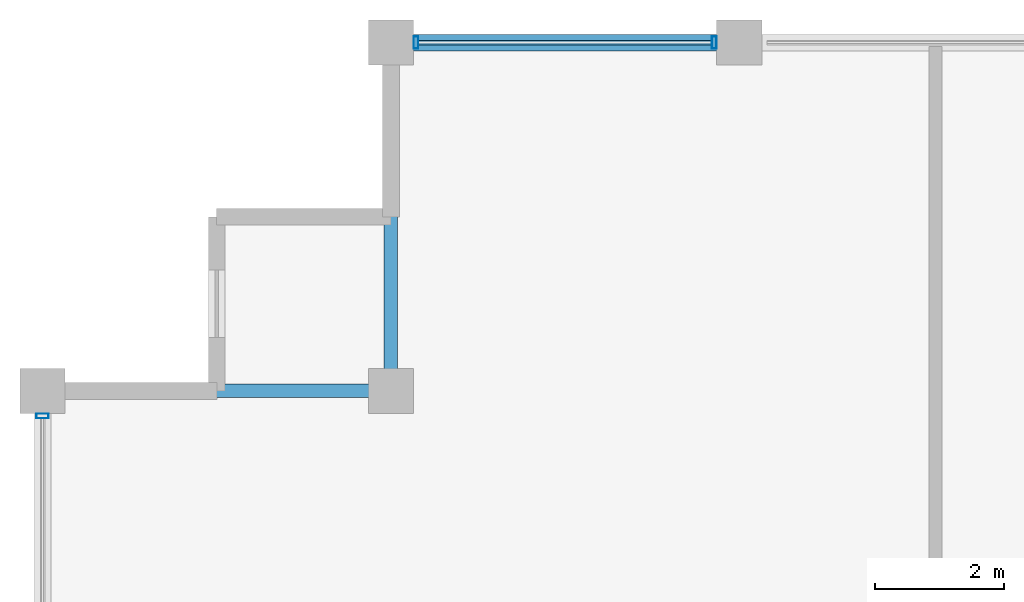
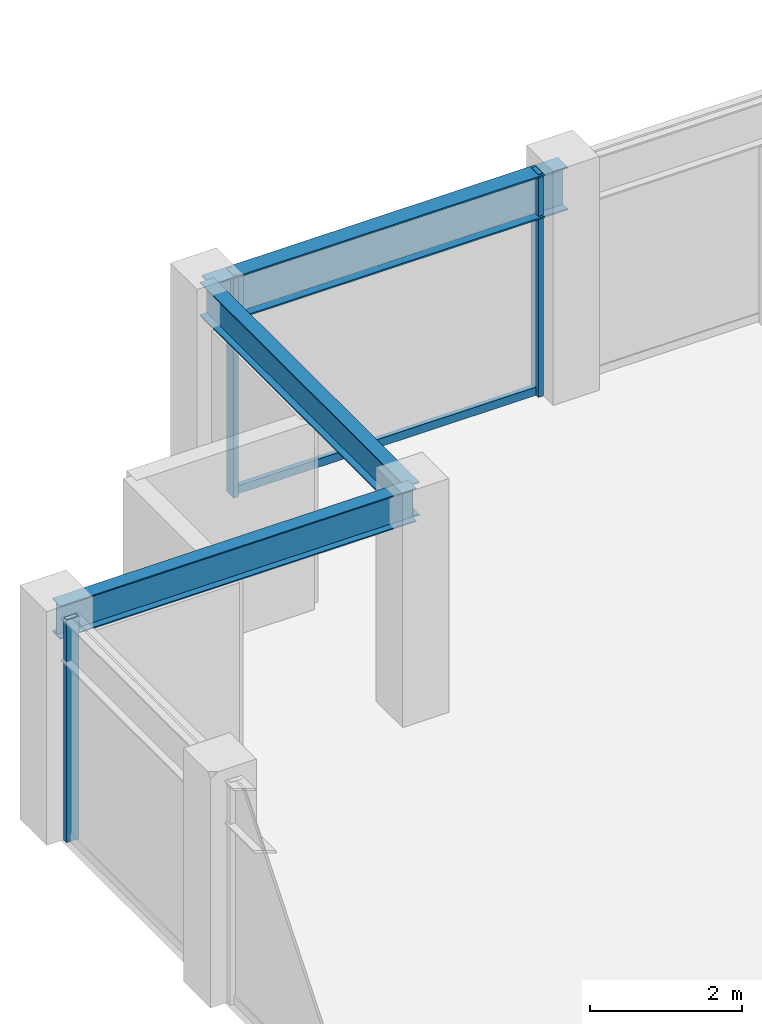
# One storey, part 16 of 31: 4 members, 3 beams, 2 elements without a shape of their own.
"""IFC4 building model written with IfcOpenShell, lengths in metres."""

from ifc_helpers import new_model, si_unit, direction, frame, origin, origin_2d, place, context, subcontext, project, spatial, hollow_rectangle, i_section, extrude, material, layer, layer_set, material_profile, profile_set, type_object, element, aggregate, save


model = new_model("IFC4")

# Units and contexts
model_context = context("Model", 3, precision=1e-05, world=origin(), true_north=direction((0.0, 1.0)))
body_context = subcontext(model_context, "Body", "Model", "MODEL_VIEW")
ifc_project = project(units=[si_unit("LENGTHUNIT", "METRE"), si_unit("AREAUNIT", "SQUARE_METRE"), si_unit("VOLUMEUNIT", "CUBIC_METRE"), si_unit("PLANEANGLEUNIT", "RADIAN"), si_unit("MASSUNIT", "GRAM", prefix="KILO")], contexts=[model_context])

# Site, building, storey
site_placement = place(None, origin())
site = spatial("IfcSite", under=ifc_project, at=site_placement, CompositionType="ELEMENT")
building_placement = place(site_placement, origin())
building = spatial("IfcBuilding", under=site, at=building_placement, Name="Surkhivell Harbour Commons", CompositionType="ELEMENT")
storey_placement = place(building_placement, frame((0.0, 0.0, 330.0)))
storey = spatial("IfcBuildingStorey", under=building, at=storey_placement, Name="L86", CompositionType="ELEMENT", Elevation=330.0)

# Beams
ifc_material_1 = material(Name="Steel S355", Category="steel")
ifc_material_profile_1 = material_profile(ifc_material_1, i_section(OverallWidth=0.2099609375, OverallDepth=0.537109375, WebThickness=0.0107421875, FlangeThickness=0.017333984375, at=origin_2d()), Name="UB533x210x101")
ifc_profile_set_1 = profile_set([ifc_material_profile_1], Name="Steel S355")
beam_type_1 = type_object("IfcBeamType", Name="BM-GRD-533B", PredefinedType="BEAM", material=ifc_profile_set_1)
for number, where, z_axis, x_axis, name in (
    (1, (-27.0, 20.5, 3.301513671875), (1.0, 0.0, 0.0), (0.0, 1.0, 0.0), "L86 Floor Girder (-27.0,20.5)"),
    (2, (-21.60009765625, 20.5, 3.301513671875), (0.0, 1.0, 0.0), (-1.0, 0.0, 0.0), "L86 Floor Girder (-21.6,20.5)"),
):
    element("IfcBeam", number, at=place(storey_placement, frame(where, z_axis=z_axis, x_axis=x_axis)), inside=storey, type_object=beam_type_1, Name=name, PredefinedType="BEAM", context=body_context, shape_type="SweptSolid", body=[
        extrude(i_section(OverallWidth=0.2099609375, OverallDepth=0.537109375, WebThickness=0.0107421875, FlangeThickness=0.017333984375, at=origin_2d()), origin(), (0.0, 0.0, 1.0), 5.39990234375),
    ])
ifc_material_profile_2 = material_profile(ifc_material_1, i_section(OverallWidth=0.256103515625, OverallDepth=0.693115234375, WebThickness=0.014404296875, FlangeThickness=0.023681640625, at=origin_2d()), Name="UB686x254x170")
ifc_profile_set_2 = profile_set([ifc_material_profile_2], Name="Steel S355")
beam_type_2 = type_object("IfcBeamType", Name="BM-SPN-686", PredefinedType="SPANDREL", material=ifc_profile_set_2)
beam_placement = place(storey_placement, frame((-21.60009765625, 25.89990234375, 3.223388671875), z_axis=(1.0, 0.0, 0.0), x_axis=(0.0, 1.0, 0.0)))
element("IfcBeam", 3, at=beam_placement, inside=storey, type_object=beam_type_2, Name="L86 Tube Spandrel (-21.6,25.9)", PredefinedType="SPANDREL", context=body_context, shape_type="SweptSolid", body=[
    extrude(i_section(OverallWidth=0.256103515625, OverallDepth=0.693115234375, WebThickness=0.014404296875, FlangeThickness=0.023681640625, at=origin_2d()), origin(), (0.0, 0.0, 1.0), 5.400146484375),
])

# Curtain wall, members
ifc_material_2 = material(Name="Anodised pale-metal aluminium and insulated glazing", Category="aluminium")
ifc_layer = layer(ifc_material_2, 0.175048828125)
ifc_layer_set = layer_set([ifc_layer], Name="Anodised pale-metal aluminium and insulated glazing")
curtain_wall_type = type_object("IfcCurtainWallType", Name="CW-SYS-Z4", PredefinedType="NOTDEFINED", material=ifc_layer_set)
curtain_wall_1_placement = place(storey_placement, origin())
curtain_wall_1 = element("IfcCurtainWall", 4, at=curtain_wall_1_placement, inside=storey, type_object=curtain_wall_type, Name="L86 Curtain Wall CW-L86-E07S2", PredefinedType="NOTDEFINED")
ifc_material_3 = material(Name="Anodised pale-metal aluminium alloy 6063-T6", Category="aluminium")
ifc_material_profile_3 = material_profile(ifc_material_3, hollow_rectangle(XDim=0.074951171875, YDim=0.18994140625, WallThickness=0.00390625, at=origin_2d()), Name="ALU-MULL-75x190")
ifc_profile_set_3 = profile_set([ifc_material_profile_3], Name="Anodised pale-metal aluminium alloy 6063-T6")
member_type_1 = type_object("IfcMemberType", Name="CWM-190", PredefinedType="MULLION", material=ifc_profile_set_3)
member_1_placement = place(storey_placement, frame((-16.589599609375, 25.89990234375, 0.0), z_axis=(0.0, 0.0, 1.0), x_axis=(-1.0, 0.0, 0.0)))
member_1 = element("IfcMember", 5, at=member_1_placement, type_object=member_type_1, Name="CW-Z4 mullion 3", PredefinedType="MULLION", context=body_context, shape_type="SweptSolid", body=[
    extrude(hollow_rectangle(XDim=0.074951171875, YDim=0.18994140625, WallThickness=0.00390625, at=origin_2d()), origin(), (0.0, 0.0, 1.0), 3.570068359375),
])
member_2_placement = place(storey_placement, frame((-21.21044921875, 25.89990234375, 0.0), z_axis=(0.0, 0.0, 1.0), x_axis=(-1.0, 0.0, 0.0)))
member_2 = element("IfcMember", 6, at=member_2_placement, type_object=member_type_1, Name="CW-Z4 mullion 4", PredefinedType="MULLION", context=body_context, shape_type="SweptSolid", body=[
    extrude(hollow_rectangle(XDim=0.074951171875, YDim=0.18994140625, WallThickness=0.00390625, at=origin_2d()), origin(), (0.0, 0.0, 1.0), 3.570068359375),
])

# Curtain wall, member
curtain_wall_2_placement = place(storey_placement, origin())
curtain_wall_2 = element("IfcCurtainWall", 7, at=curtain_wall_2_placement, inside=storey, type_object=curtain_wall_type, Name="L86 Curtain Wall CW-L86-E12S1", PredefinedType="NOTDEFINED")
member_3_placement = place(storey_placement, frame((-27.0, 20.110595703125, 0.0), z_axis=(0.0, 0.0, 1.0), x_axis=(0.0, -1.0, 0.0)))
member_3 = element("IfcMember", 8, at=member_3_placement, type_object=member_type_1, Name="CW-Z4 mullion 1", PredefinedType="MULLION", context=body_context, shape_type="SweptSolid", body=[
    extrude(hollow_rectangle(XDim=0.074951171875, YDim=0.18994140625, WallThickness=0.00390625, at=origin_2d()), origin(), (0.0, 0.0, 1.0), 3.570068359375),
])
aggregate(curtain_wall_2, [member_3])

# Member
ifc_material_4 = material(Name="Champagne anodised aluminium alloy 6063-T6", Category="aluminium")
ifc_material_profile_4 = material_profile(ifc_material_4, hollow_rectangle(XDim=0.070068359375, YDim=0.1298828125, WallThickness=0.00341796875, at=origin_2d()), Name="ALU-TRAN-70x130")
ifc_profile_set_4 = profile_set([ifc_material_profile_4], Name="Champagne anodised aluminium alloy 6063-T6")
member_type_2 = type_object("IfcMemberType", Name="CWT-130", PredefinedType="USERDEFINED", material=ifc_profile_set_4)
member_4_placement = place(storey_placement, frame((-16.626953125, 25.89990234375, 0.06494140625), z_axis=(-1.0, 0.0, 0.0), x_axis=(0.0, -1.0, 0.0)))
member_4 = element("IfcMember", 9, at=member_4_placement, type_object=member_type_2, Name="CW-Z4 transom 3.1", ObjectType="TRANSOM", PredefinedType="USERDEFINED", context=body_context, shape_type="SweptSolid", body=[
    extrude(hollow_rectangle(XDim=0.070068359375, YDim=0.1298828125, WallThickness=0.00341796875, at=origin_2d()), origin(), (0.0, 0.0, 1.0), 4.546142578125),
])

aggregate(curtain_wall_1, [member_1, member_2, member_4])

save(model, "model.ifc")
